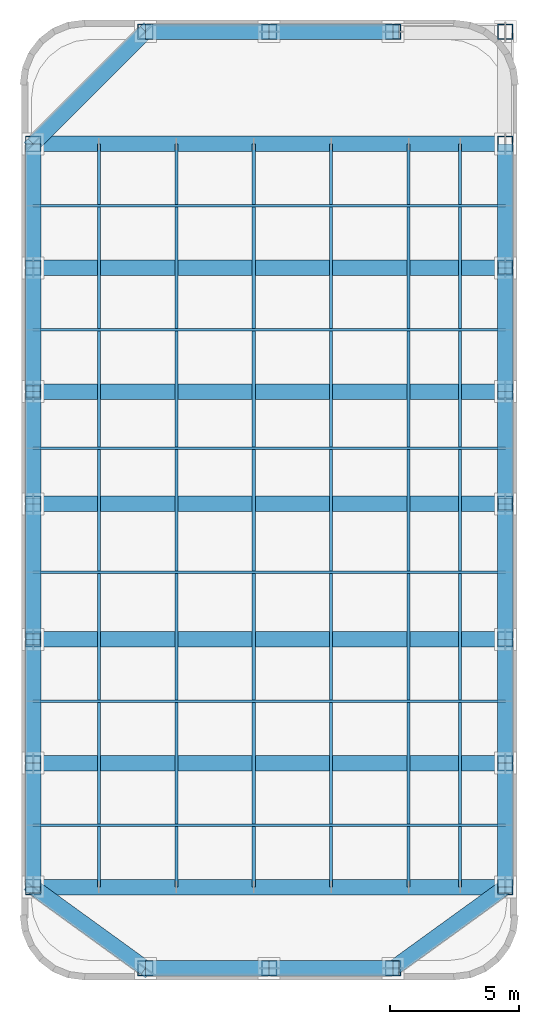
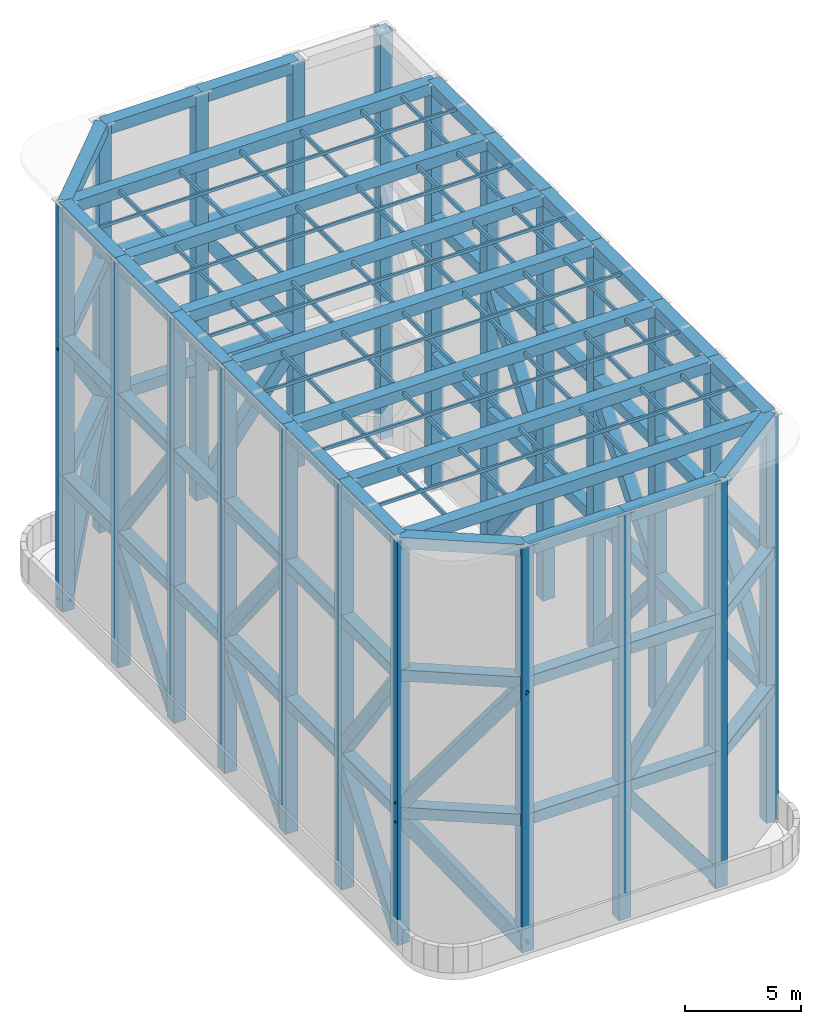
# One storey, part 1 of 4: 64 beams, 32 members, 21 columns.
"""IFC4 building model written with IfcOpenShell, lengths in metres."""

import ifcopenshell
import ifcopenshell.guid

model = None  # the IFC model being written
_history = None  # IfcOwnerHistory: only IFC2X3 demands one
_inside = {}  # id of a spatial element -> (the spatial element, [elements in it])
_under = {}  # id of a project, library or spatial element -> (it, [spatial elements below it])
_declared = {}  # id of a project -> (the project, [libraries it declares])
_typed = {}  # id of a type object -> (the type object, [elements of that type])
_made_of = {}  # id of a material, layer set ... -> (it, [elements and type objects made of it])


def new_model(schema):
    """Start an empty IFC model of exactly this schema.

    Asked for "IFC4X3", IfcOpenShell would pick the latest addendum, in which some entities
    have other attributes; the version numbers below select the first issue.
    IFC2X3 requires an IfcOwnerHistory on every rooted entity: one is made here for all.
    """
    global model, _history
    if schema == "IFC4X3":
        model = ifcopenshell.file(schema_version=(4, 3, 0, 0))
    else:
        model = ifcopenshell.file(schema=schema)
    _inside.clear()
    _under.clear()
    _declared.clear()
    _typed.clear()
    _made_of.clear()
    _history = None
    if model.schema == "IFC2X3":
        org = make("IfcOrganization", Name="unknown")
        user = make(
            "IfcPersonAndOrganization",
            ThePerson=make("IfcPerson", FamilyName="unknown"),
            TheOrganization=org,
        )
        app = make(
            "IfcApplication",
            ApplicationDeveloper=org,
            Version="unknown",
            ApplicationFullName="unknown",
            ApplicationIdentifier="unknown",
        )
        _history = make(
            "IfcOwnerHistory",
            OwningUser=user,
            OwningApplication=app,
            ChangeAction="ADDED",
            CreationDate=0,
        )
    return model


def make(cls, **values):
    """One entity of the class cls with the attributes given. An attribute that is None is left unset."""
    return model.create_entity(
        cls, **{name: value for name, value in values.items() if value is not None}
    )


def rooted(cls, **values):
    """An entity with a GlobalId (a new one), such as an element, a storey or a relation."""
    return make(cls, GlobalId=ifcopenshell.guid.new(), OwnerHistory=_history, **values)


def si_unit(unit_type, name, prefix=None):
    """IfcSIUnit, for example si_unit("LENGTHUNIT", "METRE", prefix="MILLI")."""
    return make("IfcSIUnit", UnitType=unit_type, Prefix=prefix, Name=name)


def assignment(units):
    """IfcUnitAssignment: the units of a project."""
    return None if units is None else make("IfcUnitAssignment", Units=units)


def point(xyz):
    """IfcCartesianPoint."""
    return None if xyz is None else make("IfcCartesianPoint", Coordinates=xyz)


def direction(xyz):
    """IfcDirection."""
    return None if xyz is None else make("IfcDirection", DirectionRatios=xyz)


def frame(location, z_axis=None, x_axis=None):
    """IfcAxis2Placement3D, a coordinate frame: its origin and axes. An axis left out is left unset."""
    return make(
        "IfcAxis2Placement3D",
        Location=point(location),
        Axis=direction(z_axis),
        RefDirection=direction(x_axis),
    )


def frame_2d(location, x_axis=None):
    """IfcAxis2Placement2D, a coordinate frame in the plane: its origin and x axis."""
    return make(
        "IfcAxis2Placement2D", Location=point(location), RefDirection=direction(x_axis)
    )


def origin():
    """The frame at (0, 0, 0) with its axes left unset."""
    return frame((0.0, 0.0, 0.0))


def origin_2d():
    """The frame at (0, 0) in the plane with its x axis left unset."""
    return frame_2d((0.0, 0.0))


def place(relative_to, where):
    """IfcLocalPlacement: puts the frame where relative to a parent placement (None: the world)."""
    return make(
        "IfcLocalPlacement", PlacementRelTo=relative_to, RelativePlacement=where
    )


def context(
    kind, dimensions, precision=None, world=None, true_north=None, identifier=None
):
    """IfcGeometricRepresentationContext, for example the 3D "Model" context."""
    return make(
        "IfcGeometricRepresentationContext",
        ContextIdentifier=identifier,
        ContextType=kind,
        CoordinateSpaceDimension=dimensions,
        Precision=precision,
        WorldCoordinateSystem=world,
        TrueNorth=true_north,
    )


def subcontext(parent, identifier, kind, view, scale=None):
    """IfcGeometricRepresentationSubContext, for example "Body" below "Model"."""
    return make(
        "IfcGeometricRepresentationSubContext",
        ContextIdentifier=identifier,
        ContextType=kind,
        ParentContext=parent,
        TargetScale=scale,
        TargetView=view,
    )


def project(units=None, contexts=None):
    """IfcProject with its units and contexts."""
    return rooted(
        "IfcProject",
        Name="project",
        RepresentationContexts=contexts,
        UnitsInContext=assignment(units),
    )


def spatial(cls, under=None, at=None, **own):
    """A site, building, storey or space (cls), placed at a placement, below another one or the project."""
    s = rooted(cls, ObjectPlacement=at, **own)
    if under is not None:
        _under.setdefault(under.id(), (under, []))[1].append(s)
    return s


def profile(cls, at=None, kind="AREA", **sizes):
    """A parametric profile (cls). Its sizes go by their IFC names, for example OverallWidth=200.0."""
    return make(cls, ProfileType=kind, Position=at, **sizes)


def hollow_rectangle(**sizes):
    """IfcRectangleHollowProfileDef."""
    return profile("IfcRectangleHollowProfileDef", **sizes)


def extrude(swept, where, along, depth):
    """IfcExtrudedAreaSolid: the profile swept, set in the frame where, extruded along a direction by depth."""
    return make(
        "IfcExtrudedAreaSolid",
        SweptArea=swept,
        Position=where,
        ExtrudedDirection=direction(along),
        Depth=depth,
    )


def shape(context_of_items, identifier, shape_type, items):
    """IfcShapeRepresentation: the items that make up one representation, for example the "Body"."""
    return make(
        "IfcShapeRepresentation",
        ContextOfItems=context_of_items,
        RepresentationIdentifier=identifier,
        RepresentationType=shape_type,
        Items=items,
    )


def material(Name=None, Category=None):
    """IfcMaterial."""
    return make("IfcMaterial", Name=Name, Category=Category)


def material_profile(
    of_material, cross_section, Name=None, Category=None, Priority=None
):
    """IfcMaterialProfile: a cross section and its material."""
    return make(
        "IfcMaterialProfile",
        Name=Name,
        Material=of_material,
        Profile=cross_section,
        Priority=Priority,
        Category=Category,
    )


def profile_set(profiles, Name=None, composite=None):
    """IfcMaterialProfileSet."""
    return make(
        "IfcMaterialProfileSet",
        Name=Name,
        MaterialProfiles=profiles,
        CompositeProfile=composite,
    )


def made_of(thing, what):
    """Note that an element or type object is made of a material, layer set ...; save() writes the relation."""
    if what is not None:
        _made_of.setdefault(what.id(), (what, []))[1].append(thing)
    return thing


def type_object(cls, material=None, **own):
    """A type object (cls), such as IfcWallType, which elements share."""
    return made_of(rooted(cls, **own), material)


def element(
    cls,
    number,
    at=None,
    inside=None,
    cuts=None,
    type_object=None,
    material=None,
    context=None,
    identifier="Body",
    shape_type=None,
    held_by="IfcProductDefinitionShape",
    body=None,
    shapes=None,
    **own,
):
    """One element of the class cls, such as IfcWall. Its Tag is "e" and its number.

    at: its placement. inside: the storey or other place that contains it. cuts: it is an
    opening in that element (IfcRelVoidsElement). A single representation is given by context,
    identifier, shape_type and body (its items); several are given by shapes. held_by: the class
    of the entity that holds the representations. save() writes the other relations.
    """
    e = rooted(cls, Tag="e%d" % number, ObjectPlacement=at, **own)
    if body is not None:
        shapes = [shape(context, identifier, shape_type, body)]
    if shapes is not None:
        e.Representation = make(held_by, Representations=shapes)
    if inside is not None:
        _inside.setdefault(inside.id(), (inside, []))[1].append(e)
    if cuts is not None:
        rooted(
            "IfcRelVoidsElement", RelatingBuildingElement=cuts, RelatedOpeningElement=e
        )
    if type_object is not None:
        _typed.setdefault(type_object.id(), (type_object, []))[1].append(e)
    return made_of(e, material)


def aggregate(whole, parts):
    """IfcRelAggregates: a whole, such as a stair, and the parts it consists of."""
    return rooted("IfcRelAggregates", RelatingObject=whole, RelatedObjects=parts)


def save(model, path):
    """Write the relations noted so far, then the file.

    IfcRelAggregates (storeys below a building ...), IfcRelContainedInSpatialStructure (elements
    in a storey), IfcRelDefinesByType, IfcRelAssociatesMaterial and IfcRelDeclares: one each for
    every whole, place, type object, material and project.
    """
    for whole, parts in _under.values():
        aggregate(whole, parts)
    for where, things in _inside.values():
        rooted(
            "IfcRelContainedInSpatialStructure",
            RelatedElements=things,
            RelatingStructure=where,
        )
    for kind, things in _typed.values():
        rooted("IfcRelDefinesByType", RelatedObjects=things, RelatingType=kind)
    for what, things in _made_of.values():
        rooted("IfcRelAssociatesMaterial", RelatedObjects=things, RelatingMaterial=what)
    for by, libraries in _declared.values():
        rooted("IfcRelDeclares", RelatingContext=by, RelatedDefinitions=libraries)
    model.write(path)


model = new_model("IFC4")

# Units and contexts
model_context = context("Model", 3, precision=1e-05, world=origin(), true_north=direction((0.0, 1.0)))
body_context = subcontext(model_context, "Body", "Model", "MODEL_VIEW")
ifc_project = project(units=[si_unit("LENGTHUNIT", "METRE"), si_unit("AREAUNIT", "SQUARE_METRE"), si_unit("VOLUMEUNIT", "CUBIC_METRE"), si_unit("PLANEANGLEUNIT", "RADIAN"), si_unit("MASSUNIT", "GRAM", prefix="KILO")], contexts=[model_context])

# Site, building, storey
site_placement = place(None, origin())
site = spatial("IfcSite", under=ifc_project, at=site_placement, CompositionType="ELEMENT")
building_placement = place(site_placement, origin())
building = spatial("IfcBuilding", under=site, at=building_placement, Name="Orvandelia Arch Residences", CompositionType="ELEMENT")
storey_placement = place(building_placement, frame((0.0, 0.0, 301.0)))
storey = spatial("IfcBuildingStorey", under=building, at=storey_placement, Name="RF", CompositionType="ELEMENT", Elevation=301.0)

# Columns
ifc_material_1 = material(Name="Structural Steel HSA650 (650 MPa)", Category="steel")
ifc_material_profile_1 = material_profile(ifc_material_1, hollow_rectangle(XDim=0.60009765625, YDim=0.60009765625, WallThickness=0.031982421875, at=origin_2d()), Name="Structural Steel HSA650 (650 MPa)", Category="steel")
ifc_profile_set_1 = profile_set([ifc_material_profile_1], Name="Structural Steel HSA650 (650 MPa)")
column_type = type_object("IfcColumnType", Name="CROWN-FRAME-POST", PredefinedType="COLUMN", material=ifc_profile_set_1)
for number, where, z_axis, x_axis, name in (
    (1, (5.25, 14.39990234375, 0.0), (0.0, 0.0, 1.0), (1.0, 0.0, 0.0), "CROWN FRAME POST 01"),
    (2, (5.25, 19.199951171875, 0.0), (0.0, 0.0, 1.0), (1.0, 0.0, 0.0), "CROWN FRAME POST 02"),
    (3, (5.25, 24.0, 0.0), (0.0, 0.0, 1.0), (1.0, 0.0, 0.0), "CROWN FRAME POST 03"),
    (4, (5.25, 29.25, 0.0), (0.0, 0.0, 1.0), (1.0, 0.0, 0.0), "CROWN FRAME POST 04"),
    (5, (5.25, 33.60009765625, 0.0), (0.0, 0.0, 1.0), (1.0, 0.0, 0.0), "CROWN FRAME POST 05"),
    (6, (5.25, 38.39990234375, 0.0), (0.0, 0.0, 1.0), (1.0, 0.0, 0.0), "CROWN FRAME POST 06"),
    (7, (5.25, 43.199951171875, 0.0), (0.0, 0.0, 1.0), (1.0, 0.0, 0.0), "CROWN FRAME POST 07"),
    (8, (9.60009765625, 47.550048828125, 0.0), (0.0, 0.0, 1.0), (1.0, 0.0, 0.0), "CROWN FRAME POST 08"),
    (9, (14.39990234375, 47.550048828125, 0.0), (0.0, 0.0, 1.0), (1.0, 0.0, 0.0), "CROWN FRAME POST 09"),
    (10, (19.199951171875, 47.550048828125, 0.0), (0.0, 0.0, 1.0), (1.0, 0.0, 0.0), "CROWN FRAME POST 10"),
    (11, (23.550048828125, 47.550048828125, 0.0), (0.0, 0.0, 1.0), (1.0, 0.0, 0.0), "CROWN FRAME POST 11"),
    (12, (23.550048828125, 43.199951171875, 0.0), (0.0, 0.0, 1.0), (1.0, 0.0, 0.0), "CROWN FRAME POST 12"),
    (13, (23.550048828125, 38.39990234375, 0.0), (0.0, 0.0, 1.0), (1.0, 0.0, 0.0), "CROWN FRAME POST 13"),
    (14, (23.550048828125, 33.60009765625, 0.0), (0.0, 0.0, 1.0), (1.0, 0.0, 0.0), "CROWN FRAME POST 14"),
    (15, (23.550048828125, 29.25, 0.0), (0.0, 0.0, 1.0), (1.0, 0.0, 0.0), "CROWN FRAME POST 15"),
    (16, (23.550048828125, 24.0, 0.0), (0.0, 0.0, 1.0), (1.0, 0.0, 0.0), "CROWN FRAME POST 16"),
    (17, (23.550048828125, 19.199951171875, 0.0), (0.0, 0.0, 1.0), (1.0, 0.0, 0.0), "CROWN FRAME POST 17"),
    (18, (23.550048828125, 14.39990234375, 0.0), (0.0, 0.0, 1.0), (1.0, 0.0, 0.0), "CROWN FRAME POST 18"),
    (19, (19.199951171875, 11.25, 0.0), (0.0, 0.0, 1.0), (1.0, 0.0, 0.0), "CROWN FRAME POST 19"),
    (20, (14.39990234375, 11.25, 0.0), (0.0, 0.0, 1.0), (1.0, 0.0, 0.0), "CROWN FRAME POST 20"),
    (21, (9.60009765625, 11.25, 0.0), (0.0, 0.0, 1.0), (1.0, 0.0, 0.0), "CROWN FRAME POST 21"),
):
    element("IfcColumn", number, at=place(storey_placement, frame(where, z_axis=z_axis, x_axis=x_axis)), inside=storey, type_object=column_type, Name=name, PredefinedType="COLUMN", context=body_context, shape_type="SweptSolid", body=[
        extrude(hollow_rectangle(XDim=0.60009765625, YDim=0.60009765625, WallThickness=0.031982421875, at=origin_2d()), origin(), (0.0, 0.0, 1.0), 21.31494140625),
    ])

# Members
ifc_material_profile_2 = material_profile(ifc_material_1, hollow_rectangle(XDim=0.60009765625, YDim=0.60009765625, WallThickness=0.031982421875, at=origin_2d()), Name="Structural Steel HSA650 (650 MPa)", Category="steel")
ifc_profile_set_2 = profile_set([ifc_material_profile_2], Name="Structural Steel HSA650 (650 MPa)")
member_type_1 = type_object("IfcMemberType", Name="CROWN-FRAME-BRACE", PredefinedType="BRACE", material=ifc_profile_set_2)
member_1_placement = place(storey_placement, frame((5.25, 14.39990234375, 0.300048828125), z_axis=(0.0, 0.606044143983, 0.795431012435), x_axis=(-1.0, 0.0, 0.0)))
element("IfcMember", 22, at=member_1_placement, inside=storey, type_object=member_type_1, Name="CROWN FRAME BRACE LO-01", PredefinedType="BRACE", context=body_context, shape_type="SweptSolid", body=[
    extrude(hollow_rectangle(XDim=0.60009765625, YDim=0.60009765625, WallThickness=0.031982421875, at=origin_2d()), origin(), (0.0, 0.0, 1.0), 7.92041015625),
])
member_2_placement = place(storey_placement, frame((5.25, 19.199951171875, 7.199951171875), z_axis=(0.0, -0.58816991891, 0.808737377947), x_axis=(1.0, 0.0, 0.0)))
element("IfcMember", 23, at=member_2_placement, inside=storey, type_object=member_type_1, Name="CROWN FRAME BRACE MID-01", PredefinedType="BRACE", context=body_context, shape_type="SweptSolid", body=[
    extrude(hollow_rectangle(XDim=0.60009765625, YDim=0.60009765625, WallThickness=0.031982421875, at=origin_2d()), origin(), (0.0, 0.0, 1.0), 8.160888671875),
])
member_3_placement = place(storey_placement, frame((5.25, 24.0, 0.300048828125), z_axis=(0.0, 0.640181471429, 0.768223719784), x_axis=(-1.0, 0.0, 0.0)))
element("IfcMember", 24, at=member_3_placement, inside=storey, type_object=member_type_1, Name="CROWN FRAME BRACE LO-03", PredefinedType="BRACE", context=body_context, shape_type="SweptSolid", body=[
    extrude(hollow_rectangle(XDim=0.60009765625, YDim=0.60009765625, WallThickness=0.031982421875, at=origin_2d()), origin(), (0.0, 0.0, 1.0), 8.20068359375),
])
member_4_placement = place(storey_placement, frame((5.25, 29.25, 7.199951171875), z_axis=(0.0, -0.62251792438, 0.782605541653), x_axis=(1.0, 0.0, 0.0)))
element("IfcMember", 25, at=member_4_placement, inside=storey, type_object=member_type_1, Name="CROWN FRAME BRACE MID-03", PredefinedType="BRACE", context=body_context, shape_type="SweptSolid", body=[
    extrude(hollow_rectangle(XDim=0.60009765625, YDim=0.60009765625, WallThickness=0.031982421875, at=origin_2d()), origin(), (0.0, 0.0, 1.0), 8.43359375),
])
member_5_placement = place(storey_placement, frame((5.25, 33.60009765625, 0.300048828125), z_axis=(0.0, 0.606024640335, 0.795445872016), x_axis=(-1.0, 0.0, 0.0)))
element("IfcMember", 26, at=member_5_placement, inside=storey, type_object=member_type_1, Name="CROWN FRAME BRACE LO-05", PredefinedType="BRACE", context=body_context, shape_type="SweptSolid", body=[
    extrude(hollow_rectangle(XDim=0.60009765625, YDim=0.60009765625, WallThickness=0.031982421875, at=origin_2d()), origin(), (0.0, 0.0, 1.0), 7.920166015625),
])
member_6_placement = place(storey_placement, frame((5.25, 38.39990234375, 7.199951171875), z_axis=(0.0, -0.588150351935, 0.808751608047), x_axis=(1.0, 0.0, 0.0)))
element("IfcMember", 27, at=member_6_placement, inside=storey, type_object=member_type_1, Name="CROWN FRAME BRACE MID-05", PredefinedType="BRACE", context=body_context, shape_type="SweptSolid", body=[
    extrude(hollow_rectangle(XDim=0.60009765625, YDim=0.60009765625, WallThickness=0.031982421875, at=origin_2d()), origin(), (0.0, 0.0, 1.0), 8.160888671875),
])
member_7_placement = place(storey_placement, frame((5.25, 43.199951171875, 0.300048828125), z_axis=(0.494018973702, 0.494018973702, 0.71546523832), x_axis=(-0.707106781187, 0.707106781187, 0.0)))
element("IfcMember", 28, at=member_7_placement, inside=storey, type_object=member_type_1, Name="CROWN FRAME BRACE LO-07", PredefinedType="BRACE", context=body_context, shape_type="SweptSolid", body=[
    extrude(hollow_rectangle(XDim=0.60009765625, YDim=0.60009765625, WallThickness=0.031982421875, at=origin_2d()), origin(), (0.0, 0.0, 1.0), 8.805419921875),
])
member_8_placement = place(storey_placement, frame((9.60009765625, 47.550048828125, 7.199951171875), z_axis=(-0.482131486879, -0.482131486879, 0.731504243815), x_axis=(0.707106781187, -0.707106781187, 0.0)))
element("IfcMember", 29, at=member_8_placement, inside=storey, type_object=member_type_1, Name="CROWN FRAME BRACE MID-07", PredefinedType="BRACE", context=body_context, shape_type="SweptSolid", body=[
    extrude(hollow_rectangle(XDim=0.60009765625, YDim=0.60009765625, WallThickness=0.031982421875, at=origin_2d()), origin(), (0.0, 0.0, 1.0), 9.022705078125),
])
member_9_placement = place(storey_placement, frame((14.39990234375, 47.550048828125, 0.300048828125), z_axis=(0.606044143983, 0.0, 0.795431012435), x_axis=(0.0, 1.0, 0.0)))
element("IfcMember", 30, at=member_9_placement, inside=storey, type_object=member_type_1, Name="CROWN FRAME BRACE LO-09", PredefinedType="BRACE", context=body_context, shape_type="SweptSolid", body=[
    extrude(hollow_rectangle(XDim=0.60009765625, YDim=0.60009765625, WallThickness=0.031982421875, at=origin_2d()), origin(), (0.0, 0.0, 1.0), 7.92041015625),
])
member_10_placement = place(storey_placement, frame((19.199951171875, 47.550048828125, 7.199951171875), z_axis=(-0.58816991891, 0.0, 0.808737377947), x_axis=(0.0, -1.0, 0.0)))
element("IfcMember", 31, at=member_10_placement, inside=storey, type_object=member_type_1, Name="CROWN FRAME BRACE MID-09", PredefinedType="BRACE", context=body_context, shape_type="SweptSolid", body=[
    extrude(hollow_rectangle(XDim=0.60009765625, YDim=0.60009765625, WallThickness=0.031982421875, at=origin_2d()), origin(), (0.0, 0.0, 1.0), 8.160888671875),
])
member_11_placement = place(storey_placement, frame((23.550048828125, 38.39990234375, 0.300048828125), z_axis=(0.0, -0.606024640335, 0.795445872016), x_axis=(1.0, 0.0, 0.0)))
element("IfcMember", 32, at=member_11_placement, inside=storey, type_object=member_type_1, Name="CROWN FRAME BRACE LO-13", PredefinedType="BRACE", context=body_context, shape_type="SweptSolid", body=[
    extrude(hollow_rectangle(XDim=0.60009765625, YDim=0.60009765625, WallThickness=0.031982421875, at=origin_2d()), origin(), (0.0, 0.0, 1.0), 7.920166015625),
])
member_12_placement = place(storey_placement, frame((23.550048828125, 33.60009765625, 7.199951171875), z_axis=(0.0, 0.588150351935, 0.808751608047), x_axis=(-1.0, 0.0, 0.0)))
element("IfcMember", 33, at=member_12_placement, inside=storey, type_object=member_type_1, Name="CROWN FRAME BRACE MID-13", PredefinedType="BRACE", context=body_context, shape_type="SweptSolid", body=[
    extrude(hollow_rectangle(XDim=0.60009765625, YDim=0.60009765625, WallThickness=0.031982421875, at=origin_2d()), origin(), (0.0, 0.0, 1.0), 8.160888671875),
])
member_13_placement = place(storey_placement, frame((23.550048828125, 29.25, 0.300048828125), z_axis=(0.0, -0.640181471429, 0.768223719784), x_axis=(1.0, 0.0, 0.0)))
element("IfcMember", 34, at=member_13_placement, inside=storey, type_object=member_type_1, Name="CROWN FRAME BRACE LO-15", PredefinedType="BRACE", context=body_context, shape_type="SweptSolid", body=[
    extrude(hollow_rectangle(XDim=0.60009765625, YDim=0.60009765625, WallThickness=0.031982421875, at=origin_2d()), origin(), (0.0, 0.0, 1.0), 8.20068359375),
])
member_14_placement = place(storey_placement, frame((23.550048828125, 24.0, 7.199951171875), z_axis=(0.0, 0.62251792438, 0.782605541653), x_axis=(-1.0, 0.0, 0.0)))
element("IfcMember", 35, at=member_14_placement, inside=storey, type_object=member_type_1, Name="CROWN FRAME BRACE MID-15", PredefinedType="BRACE", context=body_context, shape_type="SweptSolid", body=[
    extrude(hollow_rectangle(XDim=0.60009765625, YDim=0.60009765625, WallThickness=0.031982421875, at=origin_2d()), origin(), (0.0, 0.0, 1.0), 8.43359375),
])
member_15_placement = place(storey_placement, frame((23.550048828125, 19.199951171875, 0.300048828125), z_axis=(0.0, -0.606044143983, 0.795431012435), x_axis=(1.0, 0.0, 0.0)))
element("IfcMember", 36, at=member_15_placement, inside=storey, type_object=member_type_1, Name="CROWN FRAME BRACE LO-17", PredefinedType="BRACE", context=body_context, shape_type="SweptSolid", body=[
    extrude(hollow_rectangle(XDim=0.60009765625, YDim=0.60009765625, WallThickness=0.031982421875, at=origin_2d()), origin(), (0.0, 0.0, 1.0), 7.92041015625),
])
member_16_placement = place(storey_placement, frame((23.550048828125, 14.39990234375, 7.199951171875), z_axis=(0.0, 0.58816991891, 0.808737377947), x_axis=(-1.0, 0.0, 0.0)))
element("IfcMember", 37, at=member_16_placement, inside=storey, type_object=member_type_1, Name="CROWN FRAME BRACE MID-17", PredefinedType="BRACE", context=body_context, shape_type="SweptSolid", body=[
    extrude(hollow_rectangle(XDim=0.60009765625, YDim=0.60009765625, WallThickness=0.031982421875, at=origin_2d()), origin(), (0.0, 0.0, 1.0), 8.160888671875),
])
member_17_placement = place(storey_placement, frame((19.199951171875, 11.25, 0.300048828125), z_axis=(-0.606044143983, 0.0, 0.795431012435), x_axis=(0.0, -1.0, 0.0)))
element("IfcMember", 38, at=member_17_placement, inside=storey, type_object=member_type_1, Name="CROWN FRAME BRACE LO-19", PredefinedType="BRACE", context=body_context, shape_type="SweptSolid", body=[
    extrude(hollow_rectangle(XDim=0.60009765625, YDim=0.60009765625, WallThickness=0.031982421875, at=origin_2d()), origin(), (0.0, 0.0, 1.0), 7.92041015625),
])
member_18_placement = place(storey_placement, frame((14.39990234375, 11.25, 7.199951171875), z_axis=(0.58816991891, 0.0, 0.808737377947), x_axis=(0.0, 1.0, 0.0)))
element("IfcMember", 39, at=member_18_placement, inside=storey, type_object=member_type_1, Name="CROWN FRAME BRACE MID-19", PredefinedType="BRACE", context=body_context, shape_type="SweptSolid", body=[
    extrude(hollow_rectangle(XDim=0.60009765625, YDim=0.60009765625, WallThickness=0.031982421875, at=origin_2d()), origin(), (0.0, 0.0, 1.0), 8.160888671875),
])
member_19_placement = place(storey_placement, frame((9.60009765625, 11.25, 0.300048828125), z_axis=(-0.525460537959, 0.380485568568, 0.761000627569), x_axis=(-0.586489246287, -0.809957013668, 0.0)))
element("IfcMember", 40, at=member_19_placement, inside=storey, type_object=member_type_1, Name="CROWN FRAME BRACE LO-21", PredefinedType="BRACE", context=body_context, shape_type="SweptSolid", body=[
    extrude(hollow_rectangle(XDim=0.60009765625, YDim=0.60009765625, WallThickness=0.031982421875, at=origin_2d()), origin(), (0.0, 0.0, 1.0), 8.278564453125),
])
member_20_placement = place(storey_placement, frame((5.25, 14.39990234375, 7.199951171875), z_axis=(0.51122273421, -0.3701759859, 0.775642350243), x_axis=(0.586489246287, 0.809957013668, 0.0)))
element("IfcMember", 41, at=member_20_placement, inside=storey, type_object=member_type_1, Name="CROWN FRAME BRACE MID-21", PredefinedType="BRACE", context=body_context, shape_type="SweptSolid", body=[
    extrude(hollow_rectangle(XDim=0.60009765625, YDim=0.60009765625, WallThickness=0.031982421875, at=origin_2d()), origin(), (0.0, 0.0, 1.0), 8.50927734375),
])

# Beams
ifc_material_profile_3 = material_profile(ifc_material_1, hollow_rectangle(XDim=0.60009765625, YDim=0.60009765625, WallThickness=0.031982421875, at=origin_2d()), Name="Structural Steel HSA650 (650 MPa)", Category="steel")
ifc_profile_set_3 = profile_set([ifc_material_profile_3], Name="Structural Steel HSA650 (650 MPa)")
beam_type = type_object("IfcBeamType", Name="CROWN-FRAME-RING", PredefinedType="BEAM", material=ifc_profile_set_3)
for number, where, z_axis, x_axis, name in (
    (42, (5.25, 14.39990234375, 6.89990234375), (0.0, 1.0, 0.0), (-1.0, 0.0, 0.0), "CROWN FRAME TIER RING BEAM T1-01"),
    (43, (5.25, 14.39990234375, 14.10009765625), (0.0, 1.0, 0.0), (-1.0, 0.0, 0.0), "CROWN FRAME TIER RING BEAM T2-01"),
    (44, (5.25, 14.39990234375, 21.0400390625), (0.0, 1.0, 0.0), (-1.0, 0.0, 0.0), "CROWN FRAME TOP RING BEAM 01"),
    (45, (5.25, 19.199951171875, 6.89990234375), (0.0, 1.0, 0.0), (-1.0, 0.0, 0.0), "CROWN FRAME TIER RING BEAM T1-02"),
    (46, (5.25, 19.199951171875, 14.10009765625), (0.0, 1.0, 0.0), (-1.0, 0.0, 0.0), "CROWN FRAME TIER RING BEAM T2-02"),
    (47, (5.25, 19.199951171875, 21.0400390625), (0.0, 1.0, 0.0), (-1.0, 0.0, 0.0), "CROWN FRAME TOP RING BEAM 02"),
):
    element("IfcBeam", number, at=place(storey_placement, frame(where, z_axis=z_axis, x_axis=x_axis)), inside=storey, type_object=beam_type, Name=name, PredefinedType="BEAM", context=body_context, shape_type="SweptSolid", body=[
        extrude(hollow_rectangle(XDim=0.60009765625, YDim=0.60009765625, WallThickness=0.031982421875, at=origin_2d()), origin(), (0.0, 0.0, 1.0), 4.800048828125),
    ])
for number, where, z_axis, x_axis, name in (
    (48, (5.25, 24.0, 6.89990234375), (0.0, 1.0, 0.0), (-1.0, 0.0, 0.0), "CROWN FRAME TIER RING BEAM T1-03"),
    (49, (5.25, 24.0, 14.10009765625), (0.0, 1.0, 0.0), (-1.0, 0.0, 0.0), "CROWN FRAME TIER RING BEAM T2-03"),
    (50, (5.25, 24.0, 21.0400390625), (0.0, 1.0, 0.0), (-1.0, 0.0, 0.0), "CROWN FRAME TOP RING BEAM 03"),
):
    element("IfcBeam", number, at=place(storey_placement, frame(where, z_axis=z_axis, x_axis=x_axis)), inside=storey, type_object=beam_type, Name=name, PredefinedType="BEAM", context=body_context, shape_type="SweptSolid", body=[
        extrude(hollow_rectangle(XDim=0.60009765625, YDim=0.60009765625, WallThickness=0.031982421875, at=origin_2d()), origin(), (0.0, 0.0, 1.0), 5.25),
    ])
for number, where, z_axis, x_axis, name in (
    (51, (5.25, 29.25, 6.89990234375), (0.0, 1.0, 0.0), (-1.0, 0.0, 0.0), "CROWN FRAME TIER RING BEAM T1-04"),
    (52, (5.25, 29.25, 14.10009765625), (0.0, 1.0, 0.0), (-1.0, 0.0, 0.0), "CROWN FRAME TIER RING BEAM T2-04"),
    (53, (5.25, 29.25, 21.0400390625), (0.0, 1.0, 0.0), (-1.0, 0.0, 0.0), "CROWN FRAME TOP RING BEAM 04"),
):
    element("IfcBeam", number, at=place(storey_placement, frame(where, z_axis=z_axis, x_axis=x_axis)), inside=storey, type_object=beam_type, Name=name, PredefinedType="BEAM", context=body_context, shape_type="SweptSolid", body=[
        extrude(hollow_rectangle(XDim=0.60009765625, YDim=0.60009765625, WallThickness=0.031982421875, at=origin_2d()), origin(), (0.0, 0.0, 1.0), 4.35009765625),
    ])
for number, where, z_axis, x_axis, name in (
    (54, (5.25, 33.60009765625, 6.89990234375), (0.0, 1.0, 0.0), (-1.0, 0.0, 0.0), "CROWN FRAME TIER RING BEAM T1-05"),
    (55, (5.25, 33.60009765625, 14.10009765625), (0.0, 1.0, 0.0), (-1.0, 0.0, 0.0), "CROWN FRAME TIER RING BEAM T2-05"),
    (56, (5.25, 33.60009765625, 21.0400390625), (0.0, 1.0, 0.0), (-1.0, 0.0, 0.0), "CROWN FRAME TOP RING BEAM 05"),
):
    element("IfcBeam", number, at=place(storey_placement, frame(where, z_axis=z_axis, x_axis=x_axis)), inside=storey, type_object=beam_type, Name=name, PredefinedType="BEAM", context=body_context, shape_type="SweptSolid", body=[
        extrude(hollow_rectangle(XDim=0.60009765625, YDim=0.60009765625, WallThickness=0.031982421875, at=origin_2d()), origin(), (0.0, 0.0, 1.0), 4.7998046875),
    ])
for number, where, z_axis, x_axis, name in (
    (57, (5.25, 38.39990234375, 6.89990234375), (0.0, 1.0, 0.0), (-1.0, 0.0, 0.0), "CROWN FRAME TIER RING BEAM T1-06"),
    (58, (5.25, 38.39990234375, 14.10009765625), (0.0, 1.0, 0.0), (-1.0, 0.0, 0.0), "CROWN FRAME TIER RING BEAM T2-06"),
    (59, (5.25, 38.39990234375, 21.0400390625), (0.0, 1.0, 0.0), (-1.0, 0.0, 0.0), "CROWN FRAME TOP RING BEAM 06"),
):
    element("IfcBeam", number, at=place(storey_placement, frame(where, z_axis=z_axis, x_axis=x_axis)), inside=storey, type_object=beam_type, Name=name, PredefinedType="BEAM", context=body_context, shape_type="SweptSolid", body=[
        extrude(hollow_rectangle(XDim=0.60009765625, YDim=0.60009765625, WallThickness=0.031982421875, at=origin_2d()), origin(), (0.0, 0.0, 1.0), 4.800048828125),
    ])
for number, where, z_axis, x_axis, name in (
    (60, (5.25, 43.199951171875, 6.89990234375), (0.707106781187, 0.707106781187, 0.0), (-0.707106781187, 0.707106781187, 0.0), "CROWN FRAME TIER RING BEAM T1-07"),
    (61, (5.25, 43.199951171875, 14.10009765625), (0.707106781187, 0.707106781187, 0.0), (-0.707106781187, 0.707106781187, 0.0), "CROWN FRAME TIER RING BEAM T2-07"),
    (62, (5.25, 43.199951171875, 21.0400390625), (0.707106781187, 0.707106781187, 0.0), (-0.707106781187, 0.707106781187, 0.0), "CROWN FRAME TOP RING BEAM 07"),
):
    element("IfcBeam", number, at=place(storey_placement, frame(where, z_axis=z_axis, x_axis=x_axis)), inside=storey, type_object=beam_type, Name=name, PredefinedType="BEAM", context=body_context, shape_type="SweptSolid", body=[
        extrude(hollow_rectangle(XDim=0.60009765625, YDim=0.60009765625, WallThickness=0.031982421875, at=origin_2d()), origin(), (0.0, 0.0, 1.0), 6.15185546875),
    ])
for number, where, z_axis, x_axis, name in (
    (63, (9.60009765625, 47.550048828125, 6.89990234375), (1.0, 0.0, 0.0), (0.0, 1.0, 0.0), "CROWN FRAME TIER RING BEAM T1-08"),
    (64, (9.60009765625, 47.550048828125, 14.10009765625), (1.0, 0.0, 0.0), (0.0, 1.0, 0.0), "CROWN FRAME TIER RING BEAM T2-08"),
    (65, (9.60009765625, 47.550048828125, 21.0400390625), (1.0, 0.0, 0.0), (0.0, 1.0, 0.0), "CROWN FRAME TOP RING BEAM 08"),
):
    element("IfcBeam", number, at=place(storey_placement, frame(where, z_axis=z_axis, x_axis=x_axis)), inside=storey, type_object=beam_type, Name=name, PredefinedType="BEAM", context=body_context, shape_type="SweptSolid", body=[
        extrude(hollow_rectangle(XDim=0.60009765625, YDim=0.60009765625, WallThickness=0.031982421875, at=origin_2d()), origin(), (0.0, 0.0, 1.0), 4.7998046875),
    ])
for number, where, z_axis, x_axis, name in (
    (66, (14.39990234375, 47.550048828125, 6.89990234375), (1.0, 0.0, 0.0), (0.0, 1.0, 0.0), "CROWN FRAME TIER RING BEAM T1-09"),
    (67, (14.39990234375, 47.550048828125, 14.10009765625), (1.0, 0.0, 0.0), (0.0, 1.0, 0.0), "CROWN FRAME TIER RING BEAM T2-09"),
    (68, (14.39990234375, 47.550048828125, 21.0400390625), (1.0, 0.0, 0.0), (0.0, 1.0, 0.0), "CROWN FRAME TOP RING BEAM 09"),
    (69, (23.550048828125, 43.199951171875, 6.89990234375), (0.0, -1.0, 0.0), (1.0, 0.0, 0.0), "CROWN FRAME TIER RING BEAM T1-12"),
    (70, (23.550048828125, 43.199951171875, 14.10009765625), (0.0, -1.0, 0.0), (1.0, 0.0, 0.0), "CROWN FRAME TIER RING BEAM T2-12"),
    (71, (23.550048828125, 43.199951171875, 21.0400390625), (0.0, -1.0, 0.0), (1.0, 0.0, 0.0), "CROWN FRAME TOP RING BEAM 12"),
):
    element("IfcBeam", number, at=place(storey_placement, frame(where, z_axis=z_axis, x_axis=x_axis)), inside=storey, type_object=beam_type, Name=name, PredefinedType="BEAM", context=body_context, shape_type="SweptSolid", body=[
        extrude(hollow_rectangle(XDim=0.60009765625, YDim=0.60009765625, WallThickness=0.031982421875, at=origin_2d()), origin(), (0.0, 0.0, 1.0), 4.800048828125),
    ])
for number, where, z_axis, x_axis, name in (
    (72, (23.550048828125, 38.39990234375, 6.89990234375), (0.0, -1.0, 0.0), (1.0, 0.0, 0.0), "CROWN FRAME TIER RING BEAM T1-13"),
    (73, (23.550048828125, 38.39990234375, 14.10009765625), (0.0, -1.0, 0.0), (1.0, 0.0, 0.0), "CROWN FRAME TIER RING BEAM T2-13"),
    (74, (23.550048828125, 38.39990234375, 21.0400390625), (0.0, -1.0, 0.0), (1.0, 0.0, 0.0), "CROWN FRAME TOP RING BEAM 13"),
):
    element("IfcBeam", number, at=place(storey_placement, frame(where, z_axis=z_axis, x_axis=x_axis)), inside=storey, type_object=beam_type, Name=name, PredefinedType="BEAM", context=body_context, shape_type="SweptSolid", body=[
        extrude(hollow_rectangle(XDim=0.60009765625, YDim=0.60009765625, WallThickness=0.031982421875, at=origin_2d()), origin(), (0.0, 0.0, 1.0), 4.7998046875),
    ])
for number, where, z_axis, x_axis, name in (
    (75, (23.550048828125, 33.60009765625, 6.89990234375), (0.0, -1.0, 0.0), (1.0, 0.0, 0.0), "CROWN FRAME TIER RING BEAM T1-14"),
    (76, (23.550048828125, 33.60009765625, 14.10009765625), (0.0, -1.0, 0.0), (1.0, 0.0, 0.0), "CROWN FRAME TIER RING BEAM T2-14"),
    (77, (23.550048828125, 33.60009765625, 21.0400390625), (0.0, -1.0, 0.0), (1.0, 0.0, 0.0), "CROWN FRAME TOP RING BEAM 14"),
):
    element("IfcBeam", number, at=place(storey_placement, frame(where, z_axis=z_axis, x_axis=x_axis)), inside=storey, type_object=beam_type, Name=name, PredefinedType="BEAM", context=body_context, shape_type="SweptSolid", body=[
        extrude(hollow_rectangle(XDim=0.60009765625, YDim=0.60009765625, WallThickness=0.031982421875, at=origin_2d()), origin(), (0.0, 0.0, 1.0), 4.35009765625),
    ])
for number, where, z_axis, x_axis, name in (
    (78, (23.550048828125, 29.25, 6.89990234375), (0.0, -1.0, 0.0), (1.0, 0.0, 0.0), "CROWN FRAME TIER RING BEAM T1-15"),
    (79, (23.550048828125, 29.25, 14.10009765625), (0.0, -1.0, 0.0), (1.0, 0.0, 0.0), "CROWN FRAME TIER RING BEAM T2-15"),
    (80, (23.550048828125, 29.25, 21.0400390625), (0.0, -1.0, 0.0), (1.0, 0.0, 0.0), "CROWN FRAME TOP RING BEAM 15"),
):
    element("IfcBeam", number, at=place(storey_placement, frame(where, z_axis=z_axis, x_axis=x_axis)), inside=storey, type_object=beam_type, Name=name, PredefinedType="BEAM", context=body_context, shape_type="SweptSolid", body=[
        extrude(hollow_rectangle(XDim=0.60009765625, YDim=0.60009765625, WallThickness=0.031982421875, at=origin_2d()), origin(), (0.0, 0.0, 1.0), 5.25),
    ])
for number, where, z_axis, x_axis, name in (
    (81, (23.550048828125, 24.0, 6.89990234375), (0.0, -1.0, 0.0), (1.0, 0.0, 0.0), "CROWN FRAME TIER RING BEAM T1-16"),
    (82, (23.550048828125, 24.0, 14.10009765625), (0.0, -1.0, 0.0), (1.0, 0.0, 0.0), "CROWN FRAME TIER RING BEAM T2-16"),
    (83, (23.550048828125, 24.0, 21.0400390625), (0.0, -1.0, 0.0), (1.0, 0.0, 0.0), "CROWN FRAME TOP RING BEAM 16"),
    (84, (23.550048828125, 19.199951171875, 6.89990234375), (0.0, -1.0, 0.0), (1.0, 0.0, 0.0), "CROWN FRAME TIER RING BEAM T1-17"),
    (85, (23.550048828125, 19.199951171875, 14.10009765625), (0.0, -1.0, 0.0), (1.0, 0.0, 0.0), "CROWN FRAME TIER RING BEAM T2-17"),
    (86, (23.550048828125, 19.199951171875, 21.0400390625), (0.0, -1.0, 0.0), (1.0, 0.0, 0.0), "CROWN FRAME TOP RING BEAM 17"),
):
    element("IfcBeam", number, at=place(storey_placement, frame(where, z_axis=z_axis, x_axis=x_axis)), inside=storey, type_object=beam_type, Name=name, PredefinedType="BEAM", context=body_context, shape_type="SweptSolid", body=[
        extrude(hollow_rectangle(XDim=0.60009765625, YDim=0.60009765625, WallThickness=0.031982421875, at=origin_2d()), origin(), (0.0, 0.0, 1.0), 4.800048828125),
    ])
for number, where, z_axis, x_axis, name in (
    (87, (23.550048828125, 14.39990234375, 6.89990234375), (-0.809957013668, -0.586489246287, 0.0), (0.586489246287, -0.809957013668, 0.0), "CROWN FRAME TIER RING BEAM T1-18"),
    (88, (23.550048828125, 14.39990234375, 14.10009765625), (-0.809957013668, -0.586489246287, 0.0), (0.586489246287, -0.809957013668, 0.0), "CROWN FRAME TIER RING BEAM T2-18"),
    (89, (23.550048828125, 14.39990234375, 21.0400390625), (-0.809957013668, -0.586489246287, 0.0), (0.586489246287, -0.809957013668, 0.0), "CROWN FRAME TOP RING BEAM 18"),
):
    element("IfcBeam", number, at=place(storey_placement, frame(where, z_axis=z_axis, x_axis=x_axis)), inside=storey, type_object=beam_type, Name=name, PredefinedType="BEAM", context=body_context, shape_type="SweptSolid", body=[
        extrude(hollow_rectangle(XDim=0.60009765625, YDim=0.60009765625, WallThickness=0.031982421875, at=origin_2d()), origin(), (0.0, 0.0, 1.0), 5.370849609375),
    ])
for number, where, z_axis, x_axis, name in (
    (90, (19.199951171875, 11.25, 6.89990234375), (-1.0, 0.0, 0.0), (0.0, -1.0, 0.0), "CROWN FRAME TIER RING BEAM T1-19"),
    (91, (19.199951171875, 11.25, 14.10009765625), (-1.0, 0.0, 0.0), (0.0, -1.0, 0.0), "CROWN FRAME TIER RING BEAM T2-19"),
    (92, (19.199951171875, 11.25, 21.0400390625), (-1.0, 0.0, 0.0), (0.0, -1.0, 0.0), "CROWN FRAME TOP RING BEAM 19"),
):
    element("IfcBeam", number, at=place(storey_placement, frame(where, z_axis=z_axis, x_axis=x_axis)), inside=storey, type_object=beam_type, Name=name, PredefinedType="BEAM", context=body_context, shape_type="SweptSolid", body=[
        extrude(hollow_rectangle(XDim=0.60009765625, YDim=0.60009765625, WallThickness=0.031982421875, at=origin_2d()), origin(), (0.0, 0.0, 1.0), 4.800048828125),
    ])
for number, where, z_axis, x_axis, name in (
    (93, (14.39990234375, 11.25, 6.89990234375), (-1.0, 0.0, 0.0), (0.0, -1.0, 0.0), "CROWN FRAME TIER RING BEAM T1-20"),
    (94, (14.39990234375, 11.25, 14.10009765625), (-1.0, 0.0, 0.0), (0.0, -1.0, 0.0), "CROWN FRAME TIER RING BEAM T2-20"),
    (95, (14.39990234375, 11.25, 21.0400390625), (-1.0, 0.0, 0.0), (0.0, -1.0, 0.0), "CROWN FRAME TOP RING BEAM 20"),
):
    element("IfcBeam", number, at=place(storey_placement, frame(where, z_axis=z_axis, x_axis=x_axis)), inside=storey, type_object=beam_type, Name=name, PredefinedType="BEAM", context=body_context, shape_type="SweptSolid", body=[
        extrude(hollow_rectangle(XDim=0.60009765625, YDim=0.60009765625, WallThickness=0.031982421875, at=origin_2d()), origin(), (0.0, 0.0, 1.0), 4.7998046875),
    ])
for number, where, z_axis, x_axis, name in (
    (96, (9.60009765625, 11.25, 6.89990234375), (-0.809957013668, 0.586489246287, 0.0), (-0.586489246287, -0.809957013668, 0.0), "CROWN FRAME TIER RING BEAM T1-21"),
    (97, (9.60009765625, 11.25, 14.10009765625), (-0.809957013668, 0.586489246287, 0.0), (-0.586489246287, -0.809957013668, 0.0), "CROWN FRAME TIER RING BEAM T2-21"),
    (98, (9.60009765625, 11.25, 21.0400390625), (-0.809957013668, 0.586489246287, 0.0), (-0.586489246287, -0.809957013668, 0.0), "CROWN FRAME TOP RING BEAM 21"),
):
    element("IfcBeam", number, at=place(storey_placement, frame(where, z_axis=z_axis, x_axis=x_axis)), inside=storey, type_object=beam_type, Name=name, PredefinedType="BEAM", context=body_context, shape_type="SweptSolid", body=[
        extrude(hollow_rectangle(XDim=0.60009765625, YDim=0.60009765625, WallThickness=0.031982421875, at=origin_2d()), origin(), (0.0, 0.0, 1.0), 5.370849609375),
    ])
for number, where, z_axis, x_axis, name in (
    (99, (5.25, 14.39990234375, 21.0400390625), (1.0, 0.0, 0.0), (0.0, 1.0, 0.0), "CROWN FRAME CAP GIRDER 1"),
    (100, (5.25, 19.199951171875, 21.0400390625), (1.0, 0.0, 0.0), (0.0, 1.0, 0.0), "CROWN FRAME CAP GIRDER 2"),
    (101, (5.25, 24.0, 21.0400390625), (1.0, 0.0, 0.0), (0.0, 1.0, 0.0), "CROWN FRAME CAP GIRDER 3"),
    (102, (5.25, 29.25, 21.0400390625), (1.0, 0.0, 0.0), (0.0, 1.0, 0.0), "CROWN FRAME CAP GIRDER 4"),
    (103, (5.25, 33.60009765625, 21.0400390625), (1.0, 0.0, 0.0), (0.0, 1.0, 0.0), "CROWN FRAME CAP GIRDER 5"),
    (104, (5.25, 38.39990234375, 21.0400390625), (1.0, 0.0, 0.0), (0.0, 1.0, 0.0), "CROWN FRAME CAP GIRDER 6"),
    (105, (5.25, 43.199951171875, 21.0400390625), (1.0, 0.0, 0.0), (0.0, 1.0, 0.0), "CROWN FRAME CAP GIRDER 7"),
):
    element("IfcBeam", number, at=place(storey_placement, frame(where, z_axis=z_axis, x_axis=x_axis)), inside=storey, type_object=beam_type, Name=name, PredefinedType="BEAM", context=body_context, shape_type="SweptSolid", body=[
        extrude(hollow_rectangle(XDim=0.60009765625, YDim=0.60009765625, WallThickness=0.031982421875, at=origin_2d()), origin(), (0.0, 0.0, 1.0), 18.300048828125),
    ])

# Members
ifc_material_2 = material(Name="Structural Steel SM355 (355 MPa)", Category="steel")
ifc_material_profile_4 = material_profile(ifc_material_2, hollow_rectangle(XDim=0.10009765625, YDim=0.14990234375, WallThickness=0.006103515625, at=origin_2d()), Name="Structural Steel SM355 (355 MPa)", Category="steel")
ifc_profile_set_4 = profile_set([ifc_material_profile_4], Name="Structural Steel SM355 (355 MPa)")
member_type_2 = type_object("IfcMemberType", Name="MBR-CANOPY-RAFTER", PredefinedType="RAFTER", material=ifc_profile_set_4)
for number, where, z_axis, x_axis, name in (
    (106, (5.25, 16.800048828125, 21.264892578125), (1.0, 0.0, 0.0), (0.0, 1.0, 0.0), "Crown Cap Secondary Rafter RFT-1"),
    (107, (5.25, 21.60009765625, 21.264892578125), (1.0, 0.0, 0.0), (0.0, 1.0, 0.0), "Crown Cap Secondary Rafter RFT-2"),
    (108, (5.25, 26.60009765625, 21.264892578125), (1.0, 0.0, 0.0), (0.0, 1.0, 0.0), "Crown Cap Secondary Rafter RFT-3"),
    (109, (5.25, 31.39990234375, 21.264892578125), (1.0, 0.0, 0.0), (0.0, 1.0, 0.0), "Crown Cap Secondary Rafter RFT-4"),
    (110, (5.25, 36.0, 21.264892578125), (1.0, 0.0, 0.0), (0.0, 1.0, 0.0), "Crown Cap Secondary Rafter RFT-5"),
    (111, (5.25, 40.800048828125, 21.264892578125), (1.0, 0.0, 0.0), (0.0, 1.0, 0.0), "Crown Cap Secondary Rafter RFT-6"),
):
    element("IfcMember", number, at=place(storey_placement, frame(where, z_axis=z_axis, x_axis=x_axis)), inside=storey, type_object=member_type_2, Name=name, PredefinedType="RAFTER", context=body_context, shape_type="SweptSolid", body=[
        extrude(hollow_rectangle(XDim=0.10009765625, YDim=0.14990234375, WallThickness=0.006103515625, at=origin_2d()), origin(), (0.0, 0.0, 1.0), 18.300048828125),
    ])
ifc_material_profile_5 = material_profile(ifc_material_2, hollow_rectangle(XDim=0.1201171875, YDim=0.199951171875, WallThickness=0.008056640625, at=origin_2d()), Name="Structural Steel SM355 (355 MPa)", Category="steel")
ifc_profile_set_5 = profile_set([ifc_material_profile_5], Name="Structural Steel SM355 (355 MPa)")
member_type_3 = type_object("IfcMemberType", Name="MBR-ROOF-PURLIN", PredefinedType="PURLIN", material=ifc_profile_set_5)
for number, where, z_axis, x_axis, name in (
    (112, (7.800048828125, 14.39990234375, 21.090087890625), (0.0, 1.0, 0.0), (-1.0, 0.0, 0.0), "Crown Cap Steel Purlin PRL-1"),
    (113, (10.800048828125, 14.39990234375, 21.090087890625), (0.0, 1.0, 0.0), (-1.0, 0.0, 0.0), "Crown Cap Steel Purlin PRL-2"),
    (114, (13.800048828125, 14.39990234375, 21.090087890625), (0.0, 1.0, 0.0), (-1.0, 0.0, 0.0), "Crown Cap Steel Purlin PRL-3"),
    (115, (16.800048828125, 14.39990234375, 21.090087890625), (0.0, 1.0, 0.0), (-1.0, 0.0, 0.0), "Crown Cap Steel Purlin PRL-4"),
    (116, (19.800048828125, 14.39990234375, 21.090087890625), (0.0, 1.0, 0.0), (-1.0, 0.0, 0.0), "Crown Cap Steel Purlin PRL-5"),
    (117, (21.800048828125, 14.39990234375, 21.090087890625), (0.0, 1.0, 0.0), (-1.0, 0.0, 0.0), "Crown Cap Steel Purlin PRL-6"),
):
    element("IfcMember", number, at=place(storey_placement, frame(where, z_axis=z_axis, x_axis=x_axis)), inside=storey, type_object=member_type_3, Name=name, PredefinedType="PURLIN", context=body_context, shape_type="SweptSolid", body=[
        extrude(hollow_rectangle(XDim=0.1201171875, YDim=0.199951171875, WallThickness=0.008056640625, at=origin_2d()), origin(), (0.0, 0.0, 1.0), 28.800048828125),
    ])

save(model, "model.ifc")
